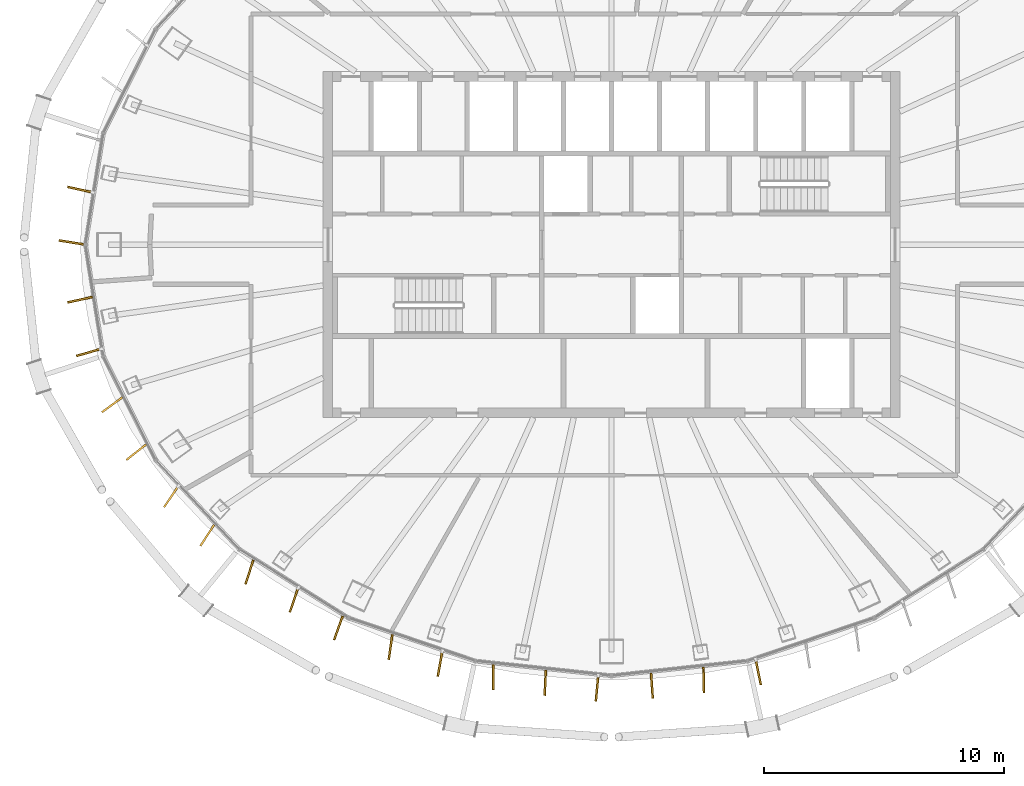
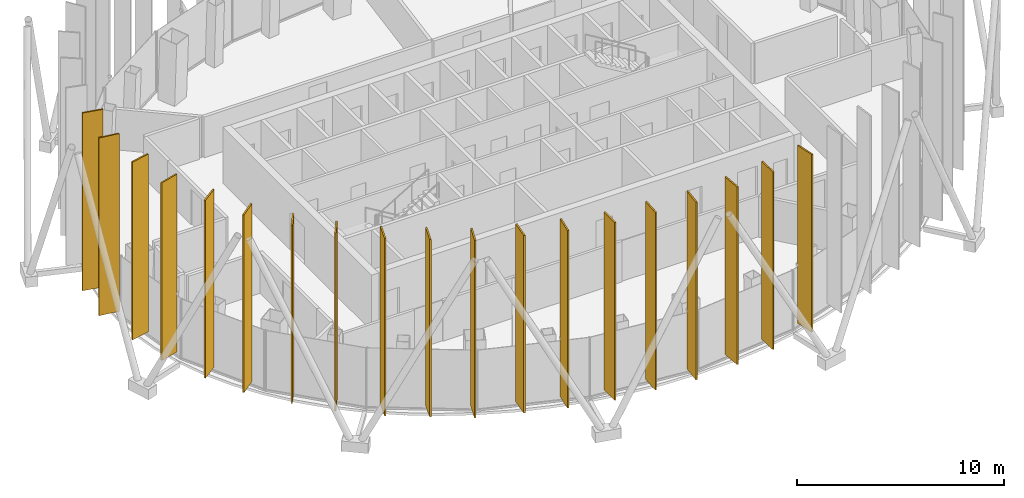
# One storey, part 16 of 19: 19 shading devices.
"""IFC4 building model written with IfcOpenShell, lengths in metres."""

from ifc_helpers import new_model, si_unit, direction, frame, origin, origin_2d, place, context, subcontext, project, spatial, rectangle, extrude, material, layer, layer_set, type_object, element, save


model = new_model("IFC4")

# Units and contexts
model_context = context("Model", 3, precision=1e-05, world=origin(), true_north=direction((0.0, 1.0)))
body_context = subcontext(model_context, "Body", "Model", "MODEL_VIEW")
ifc_project = project(units=[si_unit("LENGTHUNIT", "METRE"), si_unit("AREAUNIT", "SQUARE_METRE"), si_unit("VOLUMEUNIT", "CUBIC_METRE"), si_unit("PLANEANGLEUNIT", "RADIAN"), si_unit("MASSUNIT", "GRAM", prefix="KILO")], contexts=[model_context])

# Site, building, storey
site_placement = place(None, origin())
site = spatial("IfcSite", under=ifc_project, at=site_placement, CompositionType="ELEMENT")
building_placement = place(site_placement, origin())
building = spatial("IfcBuilding", under=site, at=building_placement, Name="Siaravel Broadcast Tower", CompositionType="ELEMENT")
storey_placement = place(building_placement, frame((0.0, 0.0, 217.10009765625)))
storey = spatial("IfcBuildingStorey", under=building, at=storey_placement, Name="L52", CompositionType="ELEMENT", Elevation=217.10009765625)

# Shading devices
ifc_material = material(Name="Bronze anodised aluminium", Category="aluminium")
ifc_layer = layer(ifc_material, 0.080078125)
ifc_layer_set = layer_set([ifc_layer], Name="Bronze anodised aluminium")
shading_device_type = type_object("IfcShadingDeviceType", Name="Bronze fin zone 4", PredefinedType="USERDEFINED", material=ifc_layer_set)
for number, where, z_axis, x_axis, name in (
    (1, (-22.11767578125, 2.290771484375, 0.2998046875), (0.0, 0.0, 1.0), (-0.976229854, 0.216737796, 0.0), "Bronze fin L52-28"),
    (2, (-22.4716796875, 0.093994140625, 0.2998046875), (0.0, 0.0, 1.0), (-0.987329198, 0.158685394, 0.0), "Bronze fin L52-29"),
    (3, (-22.11767578125, -2.290771484375, 0.2998046875), (0.0, 0.0, 1.0), (-0.976229854, -0.216737796, 0.0), "Bronze fin L52-30"),
    (4, (-21.762451171875, -4.4853515625, 0.2998046875), (0.0, 0.0, 1.0), (-0.962646393, -0.270761743, 0.0), "Bronze fin L52-31"),
    (5, (-20.777099609375, -6.660400390625, 0.2998046875), (0.0, 0.0, 1.0), (-0.807718316, -0.58956859, 0.0), "Bronze fin L52-32"),
    (6, (-19.77490234375, -8.634521484375, 0.2998046875), (0.0, 0.0, 1.0), (-0.784446335, -0.6201967, 0.0), "Bronze fin L52-33"),
    (7, (-18.3251953125, -10.48828125, 0.2998046875), (0.0, 0.0, 1.0), (-0.557101743, -0.830444247, 0.0), "Bronze fin L52-34"),
    (8, (-16.819091796875, -12.093505859375, 0.2998046875), (0.0, 0.0, 1.0), (-0.545059065, -0.838397648, 0.0), "Bronze fin L52-35"),
    (9, (-15.06689453125, -13.623046875, 0.2998046875), (0.0, 0.0, 1.0), (-0.312094496, -0.950051065, 0.0), "Bronze fin L52-36"),
    (10, (-13.2138671875, -14.7890625, 0.2998046875), (0.0, 0.0, 1.0), (-0.320907244, -0.947110628, 0.0), "Bronze fin L52-37"),
    (11, (-11.3662109375, -15.953125, 0.2998046875), (0.0, 0.0, 1.0), (-0.339818229, -0.940491133, 0.0), "Bronze fin L52-38"),
    (12, (-9.19482421875, -16.743896484375, 0.2998046875), (0.0, 0.0, 1.0), (-0.140775093, -0.990041602, 0.0), "Bronze fin L52-39"),
    (13, (-7.13623046875, -17.445556640625, 0.2998046875), (0.0, 0.0, 1.0), (-0.176870018, -0.984234218, 0.0), "Bronze fin L52-40"),
    (14, (-4.915283203125, -17.99951171875, 0.2998046875), (0.0, 0.0, 1.0), (-0.000274017, -0.999999962, 0.0), "Bronze fin L52-41"),
    (15, (-2.75830078125, -18.234375, 0.2998046875), (0.0, 0.0, 1.0), (-0.046517176, -0.99891749, 0.0), "Bronze fin L52-42"),
    (16, (-0.6025390625, -18.4677734375, 0.2998046875), (0.0, 0.0, 1.0), (-0.09507784, -0.995469841, 0.0), "Bronze fin L52-43"),
    (17, (1.680419921875, -18.351318359375, 0.2998046875), (0.0, 0.0, 1.0), (0.070700107, -0.997497617, 0.0), "Bronze fin L52-44"),
    (18, (3.836669921875, -18.1171875, 0.2998046875), (0.0, 0.0, 1.0), (0.022917657, -0.999737356, 0.0), "Bronze fin L52-45"),
    (19, (6.10791015625, -17.796142578125, 0.2998046875), (0.0, 0.0, 1.0), (0.197130356, -0.980377286, 0.0), "Bronze fin L52-46"),
):
    element("IfcShadingDevice", number, at=place(storey_placement, frame(where, z_axis=z_axis, x_axis=x_axis)), inside=storey, type_object=shading_device_type, Name=name, ObjectType="FIN", PredefinedType="USERDEFINED", context=body_context, shape_type="SweptSolid", body=[
        extrude(rectangle(XDim=1.050048828125, YDim=0.080078125, at=origin_2d()), origin(), (0.0, 0.0, 1.0), 10.5),
    ])

save(model, "model.ifc")
